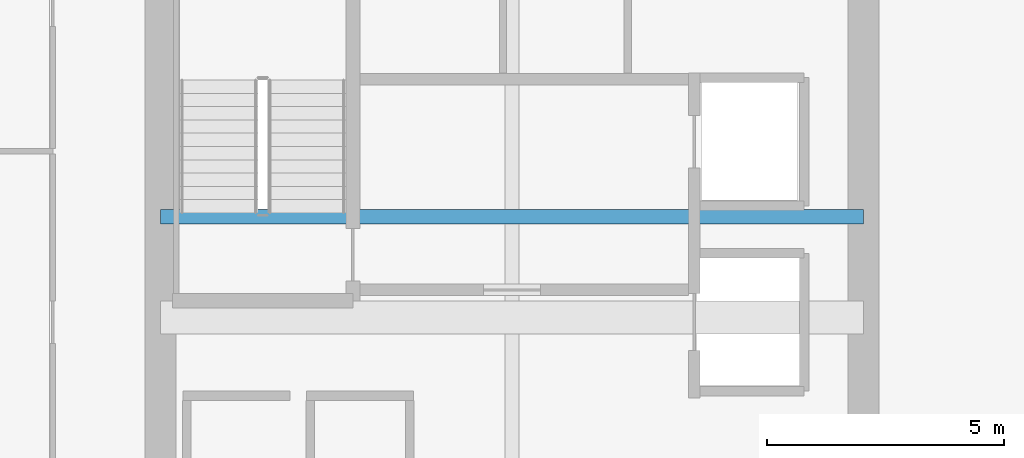
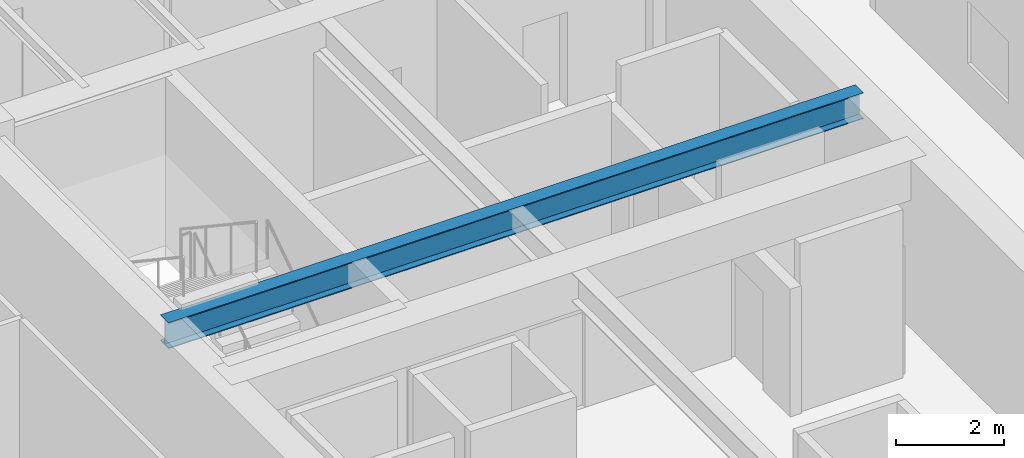
# One storey, part 9 of 34: 1 beam.
"""IFC4 building model written with IfcOpenShell, lengths in metres."""

from ifc_helpers import new_model, si_unit, direction, frame, origin, origin_2d, place, context, subcontext, project, spatial, i_section, extrude, source, transform, mapped, material, material_profile, profile_set, type_object, type_shapes, element, save


model = new_model("IFC4")

# Units and contexts
model_context = context("Model", 3, precision=1e-05, world=origin(), true_north=direction((0.0, 1.0)))
body_context = subcontext(model_context, "Body", "Model", "MODEL_VIEW")
ifc_project = project(units=[si_unit("LENGTHUNIT", "METRE"), si_unit("AREAUNIT", "SQUARE_METRE"), si_unit("VOLUMEUNIT", "CUBIC_METRE"), si_unit("PLANEANGLEUNIT", "RADIAN"), si_unit("MASSUNIT", "GRAM", prefix="KILO")], contexts=[model_context])

# Site, building, storey
site_placement = place(None, origin())
site = spatial("IfcSite", under=ifc_project, at=site_placement, CompositionType="ELEMENT")
building_placement = place(site_placement, origin())
building = spatial("IfcBuilding", under=site, at=building_placement, Name="Haelvirn Gate Laboratories", CompositionType="ELEMENT")
storey_placement = place(building_placement, frame((0.0, 0.0, 109.199951171875)))
storey = spatial("IfcBuildingStorey", under=building, at=storey_placement, Name="L26", CompositionType="ELEMENT", Elevation=109.199951171875)

# Beam
ifc_material = material(Name="Steel SM355", Category="steel")
ifc_material_profile = material_profile(ifc_material, i_section(OverallWidth=0.300048828125, OverallDepth=0.587890625, WebThickness=0.011962890625, FlangeThickness=0.02001953125, at=origin_2d()), Name="H-588x300x12x20")
ifc_profile_set = profile_set([ifc_material_profile], Name="Steel SM355")
beam_type = type_object("IfcBeamType", Name="BM-G-588", PredefinedType="BEAM", material=ifc_profile_set)
shared_shape = source(origin(), body_context, "Body", "SweptSolid", [
    extrude(i_section(OverallWidth=0.300048828125, OverallDepth=0.587890625, WebThickness=0.011962890625, FlangeThickness=0.02001953125, at=origin_2d()), origin(), (0.0, 0.0, 1.0), 14.800048828125),
])
type_shapes(beam_type, [shared_shape])
beam_placement = place(storey_placement, frame((7.39990234375, 26.6201171875, 3.49609375), z_axis=(1.0, 0.0, 0.0), x_axis=(0.0, 1.0, 0.0)))
element("IfcBeam", 1, at=beam_placement, inside=storey, type_object=beam_type, Name="L26 Stair ST1 Landing Header", PredefinedType="BEAM", context=body_context, shape_type="MappedRepresentation", body=[
    mapped(shared_shape, transform((0.0, 0.0, 0.0), scale=1.0)),
])

save(model, "model.ifc")
